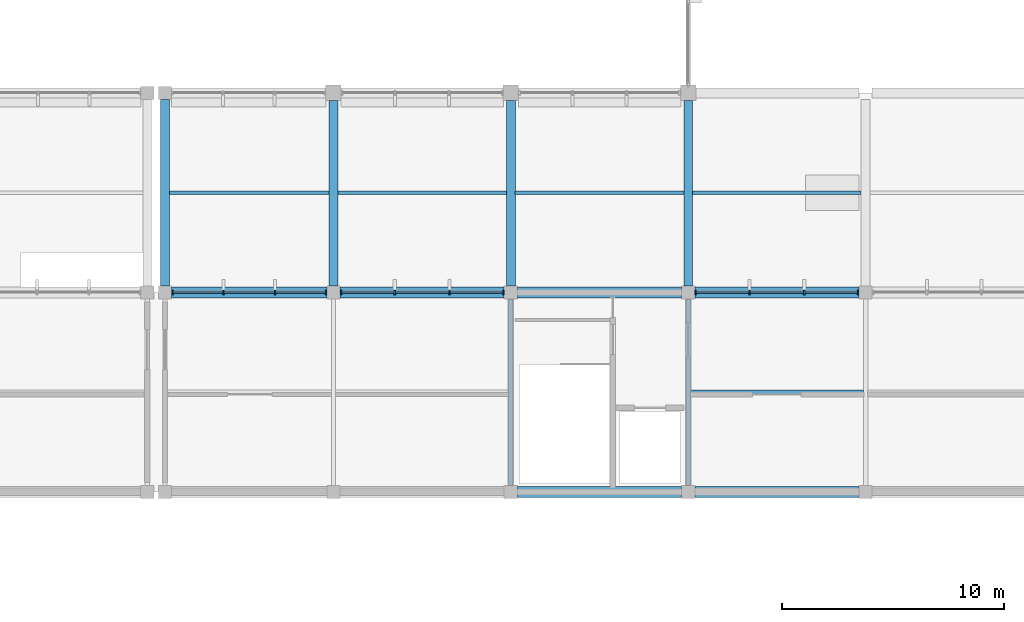
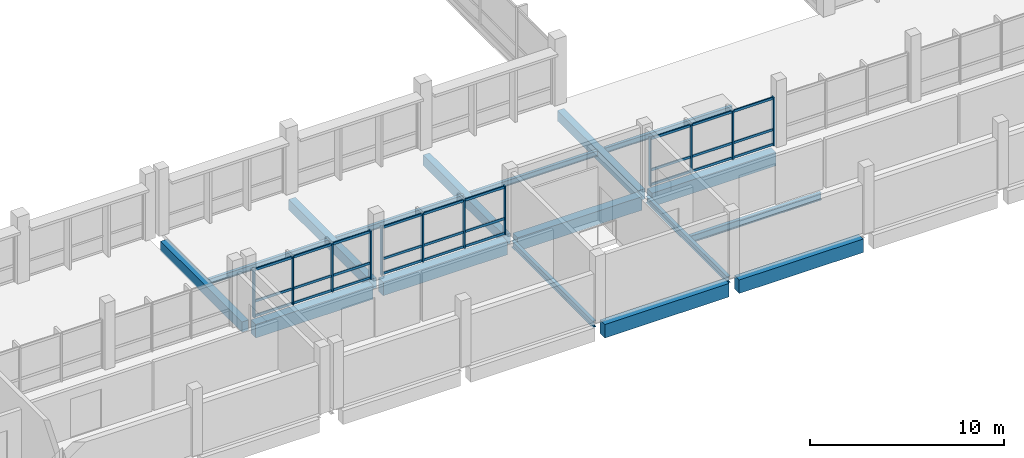
# One storey, part 11 of 70: 39 members, 17 beams, 3 elements without a shape of their own.
"""IFC4 building model written with IfcOpenShell, lengths in metres."""

from ifc_helpers import new_model, si_unit, direction, frame, origin, origin_2d, place, context, subcontext, project, spatial, rectangle, i_section, extrude, material, material_profile, profile_set, type_object, element, aggregate, save


model = new_model("IFC4")

# Units and contexts
model_context = context("Model", 3, precision=1e-05, world=origin(), true_north=direction((0.0, 1.0)))
body_context = subcontext(model_context, "Body", "Model", "MODEL_VIEW")
ifc_project = project(units=[si_unit("LENGTHUNIT", "METRE"), si_unit("AREAUNIT", "SQUARE_METRE"), si_unit("VOLUMEUNIT", "CUBIC_METRE"), si_unit("PLANEANGLEUNIT", "RADIAN"), si_unit("MASSUNIT", "GRAM", prefix="KILO"), si_unit("THERMODYNAMICTEMPERATUREUNIT", "KELVIN"), si_unit("POWERUNIT", "WATT")], contexts=[model_context])

# Site, building, storey
site_placement = place(None, origin())
site = spatial("IfcSite", under=ifc_project, at=site_placement, CompositionType="ELEMENT")
building_placement = place(site_placement, origin())
building = spatial("IfcBuilding", under=site, at=building_placement, Name="Kronsvod Quay Wholesale Market", CompositionType="ELEMENT")
storey_placement = place(building_placement, frame((0.0, 0.0, 9.0)))
storey = spatial("IfcBuildingStorey", under=building, at=storey_placement, Name="L02", CompositionType="ELEMENT", Elevation=9.0)

# Beams
ifc_material_1 = material(Name="Precast concrete C40/50", Category="concrete")
ifc_material_profile_1 = material_profile(ifc_material_1, rectangle(XDim=0.39990234375, YDim=0.64990234375, at=origin_2d()), Name="PCB400x650")
ifc_profile_set_1 = profile_set([ifc_material_profile_1], Name="Precast concrete C40/50")
beam_type_1 = type_object("IfcBeamType", Name="Beam_PCB400x650", PredefinedType="BEAM", material=ifc_profile_set_1)
beam_1_placement = place(storey_placement, frame((64.39990234375, 45.300048828125, -0.635009765625), z_axis=(0.0, 1.0, 0.0), x_axis=(-1.0, 0.0, 0.0)))
element("IfcBeam", 1, at=beam_1_placement, inside=storey, type_object=beam_type_1, Name="BMY-L02-644-450", PredefinedType="BEAM", context=body_context, shape_type="SweptSolid", body=[
    extrude(rectangle(XDim=0.39990234375, YDim=0.64990234375, at=origin_2d()), origin(), (0.0, 0.0, 1.0), 8.39990234375),
])
for number, where, z_axis, x_axis, name in (
    (2, (72.0, 45.300048828125, -0.635009765625), (0.0, 1.0, 0.0), (-1.0, 0.0, 0.0), "BMY-L02-720-450"),
    (3, (80.0, 45.300048828125, -0.635009765625), (0.0, 1.0, 0.0), (-1.0, 0.0, 0.0), "BMY-L02-800-450"),
    (4, (88.0, 45.300048828125, -0.635009765625), (0.0, 1.0, 0.0), (-1.0, 0.0, 0.0), "BMY-L02-880-450"),
):
    element("IfcBeam", number, at=place(storey_placement, frame(where, z_axis=z_axis, x_axis=x_axis)), inside=storey, type_object=beam_type_1, Name=name, PredefinedType="BEAM", context=body_context, shape_type="SweptSolid", body=[
        extrude(rectangle(XDim=0.39990234375, YDim=0.64990234375, at=origin_2d()), origin(), (0.0, 0.0, 1.0), 8.349853515625),
    ])
ifc_material_2 = material(Name="Steel S355", Category="steel")
ifc_material_profile_2 = material_profile(ifc_material_2, i_section(OverallWidth=0.199951171875, OverallDepth=0.39990234375, WebThickness=0.008056640625, FlangeThickness=0.012939453125, FilletRadius=0.01611328125, at=origin_2d()), Name="40B2")
ifc_profile_set_2 = profile_set([ifc_material_profile_2], Name="Steel S355")
beam_type_2 = type_object("IfcBeamType", Name="Beam_Steel40B2", PredefinedType="BEAM", material=ifc_profile_set_2)
for number, where, z_axis, x_axis, name in (
    (5, (80.0, 36.300048828125, -0.510009765625), (0.0, 1.0, 0.0), (-1.0, 0.0, 0.0), "BMY-L02-800-360"),
    (6, (88.0, 36.300048828125, -0.510009765625), (0.0, 1.0, 0.0), (-1.0, 0.0, 0.0), "BMY-L02-880-360"),
):
    element("IfcBeam", number, at=place(storey_placement, frame(where, z_axis=z_axis, x_axis=x_axis)), inside=storey, type_object=beam_type_2, Name=name, PredefinedType="BEAM", context=body_context, shape_type="SweptSolid", body=[
        extrude(i_section(OverallWidth=0.199951171875, OverallDepth=0.39990234375, WebThickness=0.008056640625, FlangeThickness=0.012939453125, FilletRadius=0.01611328125, at=origin_2d()), origin(), (0.0, 0.0, 1.0), 8.39990234375),
    ])
ifc_material_3 = material(Name="Steel S355", Category="steel")
ifc_material_profile_3 = material_profile(ifc_material_3, i_section(OverallWidth=0.199951171875, OverallDepth=0.449951171875, WebThickness=0.009033203125, FlangeThickness=0.013916015625, FilletRadius=0.01806640625, at=origin_2d()), Name="45B2")
ifc_profile_set_3 = profile_set([ifc_material_profile_3], Name="Steel S355")
beam_type_3 = type_object("IfcBeamType", Name="Beam_Steel45B2", PredefinedType="BEAM", material=ifc_profile_set_3)
beam_2_placement = place(storey_placement, frame((88.094970703125, 40.5, -0.52490234375), z_axis=(1.0, 0.0, 0.0), x_axis=(0.0, 1.0, 0.0)))
element("IfcBeam", 7, at=beam_2_placement, inside=storey, type_object=beam_type_3, Name="JSTX-L02-880-360", PredefinedType="BEAM", context=body_context, shape_type="SweptSolid", body=[
    extrude(i_section(OverallWidth=0.199951171875, OverallDepth=0.449951171875, WebThickness=0.009033203125, FlangeThickness=0.013916015625, FilletRadius=0.01806640625, at=origin_2d()), origin(), (0.0, 0.0, 1.0), 7.81005859375),
])
ifc_material_4 = material(Name="Precast concrete C40/50", Category="concrete")
ifc_material_profile_4 = material_profile(ifc_material_4, rectangle(XDim=0.5, YDim=0.85009765625, at=origin_2d()), Name="PCB500x850")
ifc_profile_set_4 = profile_set([ifc_material_profile_4], Name="Precast concrete C40/50")
beam_type_4 = type_object("IfcBeamType", Name="Girder_PCB500x850", PredefinedType="T_BEAM", material=ifc_profile_set_4)
for number, where, z_axis, x_axis, name in (
    (8, (80.300048828125, 36.0, -0.735107421875), (1.0, 0.0, 0.0), (0.0, 1.0, 0.0), "BMX-L02-800-360"),
    (9, (88.300048828125, 36.0, -0.735107421875), (1.0, 0.0, 0.0), (0.0, 1.0, 0.0), "BMX-L02-880-360"),
):
    element("IfcBeam", number, at=place(storey_placement, frame(where, z_axis=z_axis, x_axis=x_axis)), inside=storey, type_object=beam_type_4, Name=name, PredefinedType="T_BEAM", context=body_context, shape_type="SweptSolid", body=[
        extrude(rectangle(XDim=0.5, YDim=0.85009765625, at=origin_2d()), origin(), (0.0, 0.0, 1.0), 7.39990234375),
    ])
beam_3_placement = place(storey_placement, frame((64.699951171875, 45.0, -0.735107421875), z_axis=(1.0, 0.0, 0.0), x_axis=(0.0, 1.0, 0.0)))
element("IfcBeam", 10, at=beam_3_placement, inside=storey, type_object=beam_type_4, Name="BMX-L02-644-450", PredefinedType="T_BEAM", context=body_context, shape_type="SweptSolid", body=[
    extrude(rectangle(XDim=0.5, YDim=0.85009765625, at=origin_2d()), origin(), (0.0, 0.0, 1.0), 7.0),
])
for number, where, z_axis, x_axis, name in (
    (11, (72.300048828125, 45.0, -0.735107421875), (1.0, 0.0, 0.0), (0.0, 1.0, 0.0), "BMX-L02-720-450"),
    (12, (80.300048828125, 45.0, -0.735107421875), (1.0, 0.0, 0.0), (0.0, 1.0, 0.0), "BMX-L02-800-450"),
    (13, (88.300048828125, 45.0, -0.735107421875), (1.0, 0.0, 0.0), (0.0, 1.0, 0.0), "BMX-L02-880-450"),
):
    element("IfcBeam", number, at=place(storey_placement, frame(where, z_axis=z_axis, x_axis=x_axis)), inside=storey, type_object=beam_type_4, Name=name, PredefinedType="T_BEAM", context=body_context, shape_type="SweptSolid", body=[
        extrude(rectangle(XDim=0.5, YDim=0.85009765625, at=origin_2d()), origin(), (0.0, 0.0, 1.0), 7.39990234375),
    ])
ifc_material_5 = material(Name="Steel S355", Category="steel")
ifc_material_profile_5 = material_profile(ifc_material_5, i_section(OverallWidth=0.174072265625, OverallDepth=0.345947265625, WebThickness=0.006103515625, FlangeThickness=0.009033203125, FilletRadius=0.013916015625, at=origin_2d()), Name="35B1")
ifc_profile_set_5 = profile_set([ifc_material_profile_5], Name="Steel S355")
beam_type_5 = type_object("IfcBeamType", Name="Joist_Steel35B1", PredefinedType="JOIST", material=ifc_profile_set_5)
beam_4_placement = place(storey_placement, frame((64.594970703125, 49.5, -0.43310546875), z_axis=(1.0, 0.0, 0.0), x_axis=(0.0, 1.0, 0.0)))
element("IfcBeam", 14, at=beam_4_placement, inside=storey, type_object=beam_type_5, Name="JSTX-L02-644-450", PredefinedType="JOIST", context=body_context, shape_type="SweptSolid", body=[
    extrude(i_section(OverallWidth=0.174072265625, OverallDepth=0.345947265625, WebThickness=0.006103515625, FlangeThickness=0.009033203125, FilletRadius=0.013916015625, at=origin_2d()), origin(), (0.0, 0.0, 1.0), 7.2099609375),
])
for number, where, z_axis, x_axis, name in (
    (15, (72.195068359375, 49.5, -0.43310546875), (1.0, 0.0, 0.0), (0.0, 1.0, 0.0), "JSTX-L02-720-450"),
    (16, (80.195068359375, 49.5, -0.43310546875), (1.0, 0.0, 0.0), (0.0, 1.0, 0.0), "JSTX-L02-800-450"),
    (17, (88.195068359375, 49.5, -0.43310546875), (1.0, 0.0, 0.0), (0.0, 1.0, 0.0), "JSTX-L02-880-450"),
):
    element("IfcBeam", number, at=place(storey_placement, frame(where, z_axis=z_axis, x_axis=x_axis)), inside=storey, type_object=beam_type_5, Name=name, PredefinedType="JOIST", context=body_context, shape_type="SweptSolid", body=[
        extrude(i_section(OverallWidth=0.174072265625, OverallDepth=0.345947265625, WebThickness=0.006103515625, FlangeThickness=0.009033203125, FilletRadius=0.013916015625, at=origin_2d()), origin(), (0.0, 0.0, 1.0), 7.60986328125),
    ])

# Curtain wall, members
ifc_material_6 = material(Name="Thermally broken aluminium and triple low-E glazing", Category="aluminium")
curtain_wall_type_1 = type_object("IfcCurtainWallType", Name="CW_Harbour76x33", PredefinedType="NOTDEFINED", material=ifc_material_6)
curtain_wall_1_placement = place(storey_placement, origin())
curtain_wall_1 = element("IfcCurtainWall", 18, at=curtain_wall_1_placement, inside=storey, type_object=curtain_wall_type_1, Name="CWGX-L02-644-450", PredefinedType="NOTDEFINED")
ifc_material_7 = material(Name="Anodised aluminium", Category="aluminium")
ifc_material_profile_6 = material_profile(ifc_material_7, rectangle(XDim=0.074951171875, YDim=0.199951171875, at=origin_2d()), Name="ALUM75x200")
ifc_profile_set_6 = profile_set([ifc_material_profile_6], Name="Anodised aluminium")
member_type_1 = type_object("IfcMemberType", Name="Mullion_ALU75x200", PredefinedType="MULLION", material=ifc_profile_set_6)
member_1_placement = place(storey_placement, frame((71.66748046875, 45.0, 0.0), z_axis=(0.0, 0.0, 1.0), x_axis=(1.0, 0.0, 0.0)))
member_1 = element("IfcMember", 19, at=member_1_placement, type_object=member_type_1, Name="CWGX-L02-644-450-M1", PredefinedType="MULLION", context=body_context, shape_type="SweptSolid", body=[
    extrude(rectangle(XDim=0.074951171875, YDim=0.199951171875, at=origin_2d()), origin(), (0.0, 0.0, 1.0), 3.050048828125),
])
member_2_placement = place(storey_placement, frame((69.368408203125, 45.0, 0.0), z_axis=(0.0, 0.0, 1.0), x_axis=(1.0, 0.0, 0.0)))
member_2 = element("IfcMember", 20, at=member_2_placement, type_object=member_type_1, Name="CWGX-L02-644-450-M2", PredefinedType="MULLION", context=body_context, shape_type="SweptSolid", body=[
    extrude(rectangle(XDim=0.074951171875, YDim=0.199951171875, at=origin_2d()), origin(), (0.0, 0.0, 1.0), 3.050048828125),
])
member_3_placement = place(storey_placement, frame((67.03173828125, 45.0, 0.0), z_axis=(0.0, 0.0, 1.0), x_axis=(1.0, 0.0, 0.0)))
member_3 = element("IfcMember", 21, at=member_3_placement, type_object=member_type_1, Name="CWGX-L02-644-450-M3", PredefinedType="MULLION", context=body_context, shape_type="SweptSolid", body=[
    extrude(rectangle(XDim=0.074951171875, YDim=0.199951171875, at=origin_2d()), origin(), (0.0, 0.0, 1.0), 3.050048828125),
])
member_4_placement = place(storey_placement, frame((64.732421875, 45.0, 0.0), z_axis=(0.0, 0.0, 1.0), x_axis=(1.0, 0.0, 0.0)))
member_4 = element("IfcMember", 22, at=member_4_placement, type_object=member_type_1, Name="CWGX-L02-644-450-M4", PredefinedType="MULLION", context=body_context, shape_type="SweptSolid", body=[
    extrude(rectangle(XDim=0.074951171875, YDim=0.199951171875, at=origin_2d()), origin(), (0.0, 0.0, 1.0), 3.050048828125),
])

ifc_material_8 = material(Name="Thermally broken aluminium and triple low-E glazing", Category="aluminium")
curtain_wall_type_2 = type_object("IfcCurtainWallType", Name="CW_Harbour80x33", PredefinedType="NOTDEFINED", material=ifc_material_8)
curtain_wall_2_placement = place(storey_placement, origin())
curtain_wall_2 = element("IfcCurtainWall", 23, at=curtain_wall_2_placement, inside=storey, type_object=curtain_wall_type_2, Name="CWGX-L02-720-450", PredefinedType="NOTDEFINED")
member_5_placement = place(storey_placement, frame((79.66748046875, 45.0, 0.0), z_axis=(0.0, 0.0, 1.0), x_axis=(1.0, 0.0, 0.0)))
member_5 = element("IfcMember", 24, at=member_5_placement, type_object=member_type_1, Name="CWGX-L02-720-450-M1", PredefinedType="MULLION", context=body_context, shape_type="SweptSolid", body=[
    extrude(rectangle(XDim=0.074951171875, YDim=0.199951171875, at=origin_2d()), origin(), (0.0, 0.0, 1.0), 3.050048828125),
])
member_6_placement = place(storey_placement, frame((77.235107421875, 45.0, 0.0), z_axis=(0.0, 0.0, 1.0), x_axis=(1.0, 0.0, 0.0)))
member_6 = element("IfcMember", 25, at=member_6_placement, type_object=member_type_1, Name="CWGX-L02-720-450-M2", PredefinedType="MULLION", context=body_context, shape_type="SweptSolid", body=[
    extrude(rectangle(XDim=0.074951171875, YDim=0.199951171875, at=origin_2d()), origin(), (0.0, 0.0, 1.0), 3.050048828125),
])
member_7_placement = place(storey_placement, frame((74.764892578125, 45.0, 0.0), z_axis=(0.0, 0.0, 1.0), x_axis=(1.0, 0.0, 0.0)))
member_7 = element("IfcMember", 26, at=member_7_placement, type_object=member_type_1, Name="CWGX-L02-720-450-M3", PredefinedType="MULLION", context=body_context, shape_type="SweptSolid", body=[
    extrude(rectangle(XDim=0.074951171875, YDim=0.199951171875, at=origin_2d()), origin(), (0.0, 0.0, 1.0), 3.050048828125),
])
member_8_placement = place(storey_placement, frame((72.33251953125, 45.0, 0.0), z_axis=(0.0, 0.0, 1.0), x_axis=(1.0, 0.0, 0.0)))
member_8 = element("IfcMember", 27, at=member_8_placement, type_object=member_type_1, Name="CWGX-L02-720-450-M4", PredefinedType="MULLION", context=body_context, shape_type="SweptSolid", body=[
    extrude(rectangle(XDim=0.074951171875, YDim=0.199951171875, at=origin_2d()), origin(), (0.0, 0.0, 1.0), 3.050048828125),
])

curtain_wall_3_placement = place(storey_placement, origin())
curtain_wall_3 = element("IfcCurtainWall", 28, at=curtain_wall_3_placement, inside=storey, type_object=curtain_wall_type_2, Name="CWGX-L02-880-450", PredefinedType="NOTDEFINED")
member_9_placement = place(storey_placement, frame((95.66748046875, 45.0, 0.0), z_axis=(0.0, 0.0, 1.0), x_axis=(1.0, 0.0, 0.0)))
member_9 = element("IfcMember", 29, at=member_9_placement, type_object=member_type_1, Name="CWGX-L02-880-450-M1", PredefinedType="MULLION", context=body_context, shape_type="SweptSolid", body=[
    extrude(rectangle(XDim=0.074951171875, YDim=0.199951171875, at=origin_2d()), origin(), (0.0, 0.0, 1.0), 3.050048828125),
])
member_10_placement = place(storey_placement, frame((93.235107421875, 45.0, 0.0), z_axis=(0.0, 0.0, 1.0), x_axis=(1.0, 0.0, 0.0)))
member_10 = element("IfcMember", 30, at=member_10_placement, type_object=member_type_1, Name="CWGX-L02-880-450-M2", PredefinedType="MULLION", context=body_context, shape_type="SweptSolid", body=[
    extrude(rectangle(XDim=0.074951171875, YDim=0.199951171875, at=origin_2d()), origin(), (0.0, 0.0, 1.0), 3.050048828125),
])
member_11_placement = place(storey_placement, frame((90.764892578125, 45.0, 0.0), z_axis=(0.0, 0.0, 1.0), x_axis=(1.0, 0.0, 0.0)))
member_11 = element("IfcMember", 31, at=member_11_placement, type_object=member_type_1, Name="CWGX-L02-880-450-M3", PredefinedType="MULLION", context=body_context, shape_type="SweptSolid", body=[
    extrude(rectangle(XDim=0.074951171875, YDim=0.199951171875, at=origin_2d()), origin(), (0.0, 0.0, 1.0), 3.050048828125),
])
member_12_placement = place(storey_placement, frame((88.33251953125, 45.0, 0.0), z_axis=(0.0, 0.0, 1.0), x_axis=(1.0, 0.0, 0.0)))
member_12 = element("IfcMember", 32, at=member_12_placement, type_object=member_type_1, Name="CWGX-L02-880-450-M4", PredefinedType="MULLION", context=body_context, shape_type="SweptSolid", body=[
    extrude(rectangle(XDim=0.074951171875, YDim=0.199951171875, at=origin_2d()), origin(), (0.0, 0.0, 1.0), 3.050048828125),
])

# Member
ifc_material_9 = material(Name="Anodised aluminium", Category="aluminium")
ifc_material_profile_7 = material_profile(ifc_material_9, rectangle(XDim=0.074951171875, YDim=0.14990234375, at=origin_2d()), Name="ALUT75x150")
ifc_profile_set_7 = profile_set([ifc_material_profile_7], Name="Anodised aluminium")
member_type_2 = type_object("IfcMemberType", Name="Transom_ALU75x150", PredefinedType="USERDEFINED", material=ifc_profile_set_7)
member_13_placement = place(storey_placement, frame((71.6298828125, 45.0, 0.074951171875), z_axis=(-1.0, 0.0, 0.0), x_axis=(0.0, -1.0, 0.0)))
member_13 = element("IfcMember", 33, at=member_13_placement, type_object=member_type_2, Name="CWGX-L02-644-450-T1B1", ObjectType="TRANSOM", PredefinedType="USERDEFINED", context=body_context, shape_type="SweptSolid", body=[
    extrude(rectangle(XDim=0.074951171875, YDim=0.14990234375, at=origin_2d()), origin(), (0.0, 0.0, 1.0), 2.22412109375),
])

member_14_placement = place(storey_placement, frame((69.330810546875, 45.0, 0.074951171875), z_axis=(-1.0, 0.0, 0.0), x_axis=(0.0, -1.0, 0.0)))
member_14 = element("IfcMember", 34, at=member_14_placement, type_object=member_type_2, Name="CWGX-L02-644-450-T1B2", ObjectType="TRANSOM", PredefinedType="USERDEFINED", context=body_context, shape_type="SweptSolid", body=[
    extrude(rectangle(XDim=0.074951171875, YDim=0.14990234375, at=origin_2d()), origin(), (0.0, 0.0, 1.0), 2.26171875),
])

member_15_placement = place(storey_placement, frame((66.994140625, 45.0, 0.074951171875), z_axis=(-1.0, 0.0, 0.0), x_axis=(0.0, -1.0, 0.0)))
member_15 = element("IfcMember", 35, at=member_15_placement, type_object=member_type_2, Name="CWGX-L02-644-450-T1B3", ObjectType="TRANSOM", PredefinedType="USERDEFINED", context=body_context, shape_type="SweptSolid", body=[
    extrude(rectangle(XDim=0.074951171875, YDim=0.14990234375, at=origin_2d()), origin(), (0.0, 0.0, 1.0), 2.22412109375),
])

member_16_placement = place(storey_placement, frame((71.6298828125, 45.0, 1.0), z_axis=(-1.0, 0.0, 0.0), x_axis=(0.0, -1.0, 0.0)))
member_16 = element("IfcMember", 36, at=member_16_placement, type_object=member_type_2, Name="CWGX-L02-644-450-T2B1", ObjectType="TRANSOM", PredefinedType="USERDEFINED", context=body_context, shape_type="SweptSolid", body=[
    extrude(rectangle(XDim=0.074951171875, YDim=0.14990234375, at=origin_2d()), origin(), (0.0, 0.0, 1.0), 2.22412109375),
])

member_17_placement = place(storey_placement, frame((69.330810546875, 45.0, 1.0), z_axis=(-1.0, 0.0, 0.0), x_axis=(0.0, -1.0, 0.0)))
member_17 = element("IfcMember", 37, at=member_17_placement, type_object=member_type_2, Name="CWGX-L02-644-450-T2B2", ObjectType="TRANSOM", PredefinedType="USERDEFINED", context=body_context, shape_type="SweptSolid", body=[
    extrude(rectangle(XDim=0.074951171875, YDim=0.14990234375, at=origin_2d()), origin(), (0.0, 0.0, 1.0), 2.26171875),
])

member_18_placement = place(storey_placement, frame((66.994140625, 45.0, 1.0), z_axis=(-1.0, 0.0, 0.0), x_axis=(0.0, -1.0, 0.0)))
member_18 = element("IfcMember", 38, at=member_18_placement, type_object=member_type_2, Name="CWGX-L02-644-450-T2B3", ObjectType="TRANSOM", PredefinedType="USERDEFINED", context=body_context, shape_type="SweptSolid", body=[
    extrude(rectangle(XDim=0.074951171875, YDim=0.14990234375, at=origin_2d()), origin(), (0.0, 0.0, 1.0), 2.22412109375),
])

member_19_placement = place(storey_placement, frame((71.6298828125, 45.0, 2.97509765625), z_axis=(-1.0, 0.0, 0.0), x_axis=(0.0, -1.0, 0.0)))
member_19 = element("IfcMember", 39, at=member_19_placement, type_object=member_type_2, Name="CWGX-L02-644-450-T3B1", ObjectType="TRANSOM", PredefinedType="USERDEFINED", context=body_context, shape_type="SweptSolid", body=[
    extrude(rectangle(XDim=0.074951171875, YDim=0.14990234375, at=origin_2d()), origin(), (0.0, 0.0, 1.0), 2.22412109375),
])

member_20_placement = place(storey_placement, frame((69.330810546875, 45.0, 2.97509765625), z_axis=(-1.0, 0.0, 0.0), x_axis=(0.0, -1.0, 0.0)))
member_20 = element("IfcMember", 40, at=member_20_placement, type_object=member_type_2, Name="CWGX-L02-644-450-T3B2", ObjectType="TRANSOM", PredefinedType="USERDEFINED", context=body_context, shape_type="SweptSolid", body=[
    extrude(rectangle(XDim=0.074951171875, YDim=0.14990234375, at=origin_2d()), origin(), (0.0, 0.0, 1.0), 2.26171875),
])

member_21_placement = place(storey_placement, frame((66.994140625, 45.0, 2.97509765625), z_axis=(-1.0, 0.0, 0.0), x_axis=(0.0, -1.0, 0.0)))
member_21 = element("IfcMember", 41, at=member_21_placement, type_object=member_type_2, Name="CWGX-L02-644-450-T3B3", ObjectType="TRANSOM", PredefinedType="USERDEFINED", context=body_context, shape_type="SweptSolid", body=[
    extrude(rectangle(XDim=0.074951171875, YDim=0.14990234375, at=origin_2d()), origin(), (0.0, 0.0, 1.0), 2.22412109375),
])

aggregate(curtain_wall_1, [member_1, member_2, member_3, member_4, member_13, member_14, member_15, member_16, member_17, member_18, member_19, member_20, member_21])

member_22_placement = place(storey_placement, frame((79.6298828125, 45.0, 0.074951171875), z_axis=(-1.0, 0.0, 0.0), x_axis=(0.0, -1.0, 0.0)))
member_22 = element("IfcMember", 42, at=member_22_placement, type_object=member_type_2, Name="CWGX-L02-720-450-T1B1", ObjectType="TRANSOM", PredefinedType="USERDEFINED", context=body_context, shape_type="SweptSolid", body=[
    extrude(rectangle(XDim=0.074951171875, YDim=0.14990234375, at=origin_2d()), origin(), (0.0, 0.0, 1.0), 2.357421875),
])

member_23_placement = place(storey_placement, frame((77.197509765625, 45.0, 0.074951171875), z_axis=(-1.0, 0.0, 0.0), x_axis=(0.0, -1.0, 0.0)))
member_23 = element("IfcMember", 43, at=member_23_placement, type_object=member_type_2, Name="CWGX-L02-720-450-T1B2", ObjectType="TRANSOM", PredefinedType="USERDEFINED", context=body_context, shape_type="SweptSolid", body=[
    extrude(rectangle(XDim=0.074951171875, YDim=0.14990234375, at=origin_2d()), origin(), (0.0, 0.0, 1.0), 2.39501953125),
])

member_24_placement = place(storey_placement, frame((74.7275390625, 45.0, 0.074951171875), z_axis=(-1.0, 0.0, 0.0), x_axis=(0.0, -1.0, 0.0)))
member_24 = element("IfcMember", 44, at=member_24_placement, type_object=member_type_2, Name="CWGX-L02-720-450-T1B3", ObjectType="TRANSOM", PredefinedType="USERDEFINED", context=body_context, shape_type="SweptSolid", body=[
    extrude(rectangle(XDim=0.074951171875, YDim=0.14990234375, at=origin_2d()), origin(), (0.0, 0.0, 1.0), 2.357421875),
])

member_25_placement = place(storey_placement, frame((79.6298828125, 45.0, 1.0), z_axis=(-1.0, 0.0, 0.0), x_axis=(0.0, -1.0, 0.0)))
member_25 = element("IfcMember", 45, at=member_25_placement, type_object=member_type_2, Name="CWGX-L02-720-450-T2B1", ObjectType="TRANSOM", PredefinedType="USERDEFINED", context=body_context, shape_type="SweptSolid", body=[
    extrude(rectangle(XDim=0.074951171875, YDim=0.14990234375, at=origin_2d()), origin(), (0.0, 0.0, 1.0), 2.357421875),
])

member_26_placement = place(storey_placement, frame((77.197509765625, 45.0, 1.0), z_axis=(-1.0, 0.0, 0.0), x_axis=(0.0, -1.0, 0.0)))
member_26 = element("IfcMember", 46, at=member_26_placement, type_object=member_type_2, Name="CWGX-L02-720-450-T2B2", ObjectType="TRANSOM", PredefinedType="USERDEFINED", context=body_context, shape_type="SweptSolid", body=[
    extrude(rectangle(XDim=0.074951171875, YDim=0.14990234375, at=origin_2d()), origin(), (0.0, 0.0, 1.0), 2.39501953125),
])

member_27_placement = place(storey_placement, frame((74.7275390625, 45.0, 1.0), z_axis=(-1.0, 0.0, 0.0), x_axis=(0.0, -1.0, 0.0)))
member_27 = element("IfcMember", 47, at=member_27_placement, type_object=member_type_2, Name="CWGX-L02-720-450-T2B3", ObjectType="TRANSOM", PredefinedType="USERDEFINED", context=body_context, shape_type="SweptSolid", body=[
    extrude(rectangle(XDim=0.074951171875, YDim=0.14990234375, at=origin_2d()), origin(), (0.0, 0.0, 1.0), 2.357421875),
])

member_28_placement = place(storey_placement, frame((79.6298828125, 45.0, 2.97509765625), z_axis=(-1.0, 0.0, 0.0), x_axis=(0.0, -1.0, 0.0)))
member_28 = element("IfcMember", 48, at=member_28_placement, type_object=member_type_2, Name="CWGX-L02-720-450-T3B1", ObjectType="TRANSOM", PredefinedType="USERDEFINED", context=body_context, shape_type="SweptSolid", body=[
    extrude(rectangle(XDim=0.074951171875, YDim=0.14990234375, at=origin_2d()), origin(), (0.0, 0.0, 1.0), 2.357421875),
])

member_29_placement = place(storey_placement, frame((77.197509765625, 45.0, 2.97509765625), z_axis=(-1.0, 0.0, 0.0), x_axis=(0.0, -1.0, 0.0)))
member_29 = element("IfcMember", 49, at=member_29_placement, type_object=member_type_2, Name="CWGX-L02-720-450-T3B2", ObjectType="TRANSOM", PredefinedType="USERDEFINED", context=body_context, shape_type="SweptSolid", body=[
    extrude(rectangle(XDim=0.074951171875, YDim=0.14990234375, at=origin_2d()), origin(), (0.0, 0.0, 1.0), 2.39501953125),
])

member_30_placement = place(storey_placement, frame((74.7275390625, 45.0, 2.97509765625), z_axis=(-1.0, 0.0, 0.0), x_axis=(0.0, -1.0, 0.0)))
member_30 = element("IfcMember", 50, at=member_30_placement, type_object=member_type_2, Name="CWGX-L02-720-450-T3B3", ObjectType="TRANSOM", PredefinedType="USERDEFINED", context=body_context, shape_type="SweptSolid", body=[
    extrude(rectangle(XDim=0.074951171875, YDim=0.14990234375, at=origin_2d()), origin(), (0.0, 0.0, 1.0), 2.357421875),
])

aggregate(curtain_wall_2, [member_5, member_6, member_7, member_8, member_22, member_23, member_24, member_25, member_26, member_27, member_28, member_29, member_30])

member_31_placement = place(storey_placement, frame((95.6298828125, 45.0, 0.074951171875), z_axis=(-1.0, 0.0, 0.0), x_axis=(0.0, -1.0, 0.0)))
member_31 = element("IfcMember", 51, at=member_31_placement, type_object=member_type_2, Name="CWGX-L02-880-450-T1B1", ObjectType="TRANSOM", PredefinedType="USERDEFINED", context=body_context, shape_type="SweptSolid", body=[
    extrude(rectangle(XDim=0.074951171875, YDim=0.14990234375, at=origin_2d()), origin(), (0.0, 0.0, 1.0), 2.357421875),
])

member_32_placement = place(storey_placement, frame((93.197509765625, 45.0, 0.074951171875), z_axis=(-1.0, 0.0, 0.0), x_axis=(0.0, -1.0, 0.0)))
member_32 = element("IfcMember", 52, at=member_32_placement, type_object=member_type_2, Name="CWGX-L02-880-450-T1B2", ObjectType="TRANSOM", PredefinedType="USERDEFINED", context=body_context, shape_type="SweptSolid", body=[
    extrude(rectangle(XDim=0.074951171875, YDim=0.14990234375, at=origin_2d()), origin(), (0.0, 0.0, 1.0), 2.39501953125),
])

member_33_placement = place(storey_placement, frame((90.7275390625, 45.0, 0.074951171875), z_axis=(-1.0, 0.0, 0.0), x_axis=(0.0, -1.0, 0.0)))
member_33 = element("IfcMember", 53, at=member_33_placement, type_object=member_type_2, Name="CWGX-L02-880-450-T1B3", ObjectType="TRANSOM", PredefinedType="USERDEFINED", context=body_context, shape_type="SweptSolid", body=[
    extrude(rectangle(XDim=0.074951171875, YDim=0.14990234375, at=origin_2d()), origin(), (0.0, 0.0, 1.0), 2.357421875),
])

member_34_placement = place(storey_placement, frame((95.6298828125, 45.0, 1.0), z_axis=(-1.0, 0.0, 0.0), x_axis=(0.0, -1.0, 0.0)))
member_34 = element("IfcMember", 54, at=member_34_placement, type_object=member_type_2, Name="CWGX-L02-880-450-T2B1", ObjectType="TRANSOM", PredefinedType="USERDEFINED", context=body_context, shape_type="SweptSolid", body=[
    extrude(rectangle(XDim=0.074951171875, YDim=0.14990234375, at=origin_2d()), origin(), (0.0, 0.0, 1.0), 2.357421875),
])

member_35_placement = place(storey_placement, frame((93.197509765625, 45.0, 1.0), z_axis=(-1.0, 0.0, 0.0), x_axis=(0.0, -1.0, 0.0)))
member_35 = element("IfcMember", 55, at=member_35_placement, type_object=member_type_2, Name="CWGX-L02-880-450-T2B2", ObjectType="TRANSOM", PredefinedType="USERDEFINED", context=body_context, shape_type="SweptSolid", body=[
    extrude(rectangle(XDim=0.074951171875, YDim=0.14990234375, at=origin_2d()), origin(), (0.0, 0.0, 1.0), 2.39501953125),
])

member_36_placement = place(storey_placement, frame((90.7275390625, 45.0, 1.0), z_axis=(-1.0, 0.0, 0.0), x_axis=(0.0, -1.0, 0.0)))
member_36 = element("IfcMember", 56, at=member_36_placement, type_object=member_type_2, Name="CWGX-L02-880-450-T2B3", ObjectType="TRANSOM", PredefinedType="USERDEFINED", context=body_context, shape_type="SweptSolid", body=[
    extrude(rectangle(XDim=0.074951171875, YDim=0.14990234375, at=origin_2d()), origin(), (0.0, 0.0, 1.0), 2.357421875),
])

member_37_placement = place(storey_placement, frame((95.6298828125, 45.0, 2.97509765625), z_axis=(-1.0, 0.0, 0.0), x_axis=(0.0, -1.0, 0.0)))
member_37 = element("IfcMember", 57, at=member_37_placement, type_object=member_type_2, Name="CWGX-L02-880-450-T3B1", ObjectType="TRANSOM", PredefinedType="USERDEFINED", context=body_context, shape_type="SweptSolid", body=[
    extrude(rectangle(XDim=0.074951171875, YDim=0.14990234375, at=origin_2d()), origin(), (0.0, 0.0, 1.0), 2.357421875),
])

member_38_placement = place(storey_placement, frame((93.197509765625, 45.0, 2.97509765625), z_axis=(-1.0, 0.0, 0.0), x_axis=(0.0, -1.0, 0.0)))
member_38 = element("IfcMember", 58, at=member_38_placement, type_object=member_type_2, Name="CWGX-L02-880-450-T3B2", ObjectType="TRANSOM", PredefinedType="USERDEFINED", context=body_context, shape_type="SweptSolid", body=[
    extrude(rectangle(XDim=0.074951171875, YDim=0.14990234375, at=origin_2d()), origin(), (0.0, 0.0, 1.0), 2.39501953125),
])

member_39_placement = place(storey_placement, frame((90.7275390625, 45.0, 2.97509765625), z_axis=(-1.0, 0.0, 0.0), x_axis=(0.0, -1.0, 0.0)))
member_39 = element("IfcMember", 59, at=member_39_placement, type_object=member_type_2, Name="CWGX-L02-880-450-T3B3", ObjectType="TRANSOM", PredefinedType="USERDEFINED", context=body_context, shape_type="SweptSolid", body=[
    extrude(rectangle(XDim=0.074951171875, YDim=0.14990234375, at=origin_2d()), origin(), (0.0, 0.0, 1.0), 2.357421875),
])

aggregate(curtain_wall_3, [member_9, member_10, member_11, member_12, member_31, member_32, member_33, member_34, member_35, member_36, member_37, member_38, member_39])

save(model, "model.ifc")
